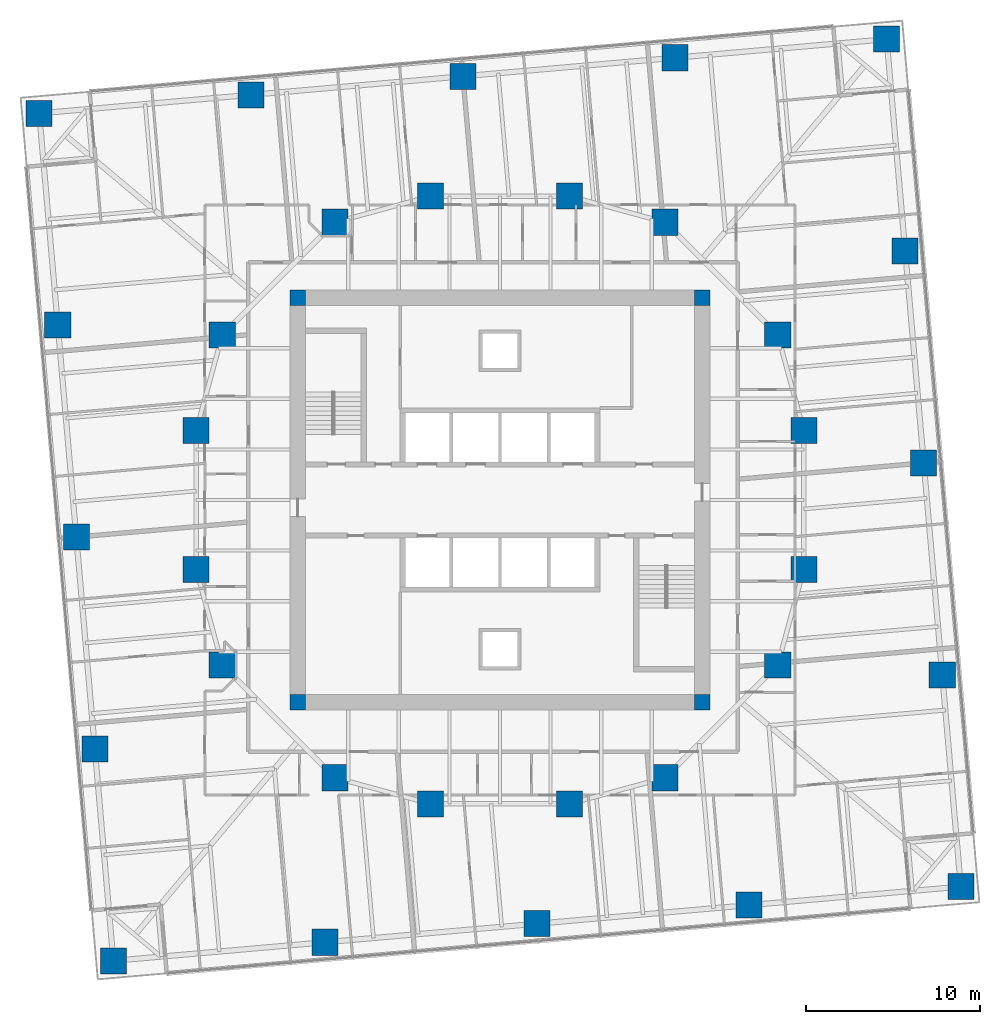
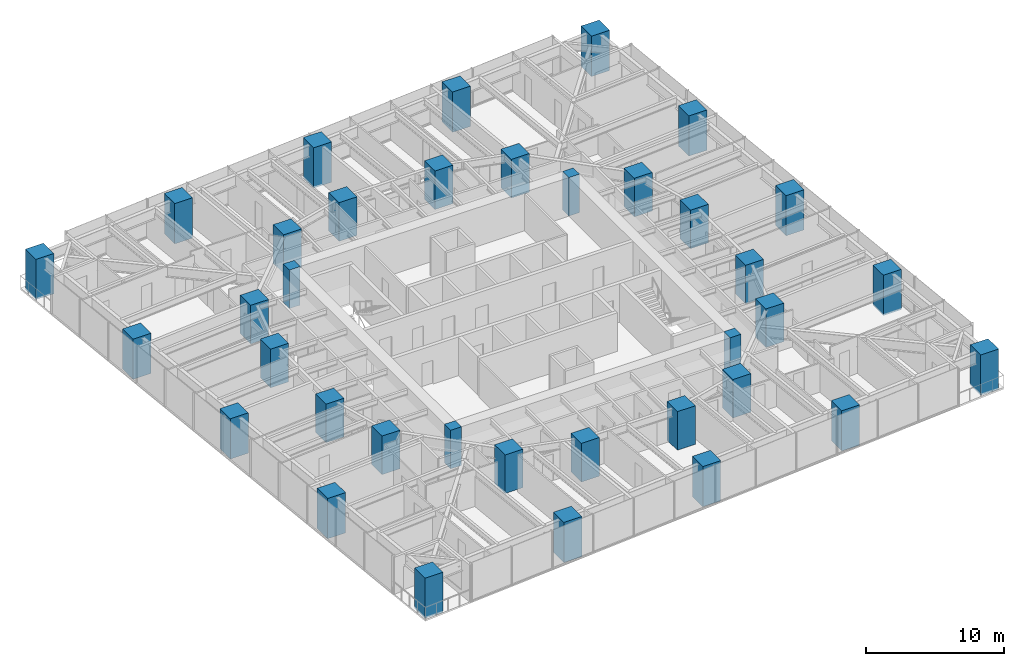
# One storey, part 1 of 14: 36 columns.
"""IFC4 building model written with IfcOpenShell, lengths in metres."""

from ifc_helpers import new_model, si_unit, direction, frame, origin, origin_2d, place, context, subcontext, project, spatial, rectangle, extrude, material, material_profile, profile_set, type_object, element, save


model = new_model("IFC4")

# Units and contexts
model_context = context("Model", 3, precision=1e-05, world=origin(), true_north=direction((0.0, 1.0)))
body_context = subcontext(model_context, "Body", "Model", "MODEL_VIEW")
ifc_project = project(units=[si_unit("LENGTHUNIT", "METRE"), si_unit("AREAUNIT", "SQUARE_METRE"), si_unit("VOLUMEUNIT", "CUBIC_METRE"), si_unit("PLANEANGLEUNIT", "RADIAN"), si_unit("MASSUNIT", "GRAM", prefix="KILO")], contexts=[model_context])

# Site, building, storey
site_placement = place(None, origin())
site = spatial("IfcSite", under=ifc_project, at=site_placement, CompositionType="ELEMENT")
building_placement = place(site_placement, origin())
building = spatial("IfcBuilding", under=site, at=building_placement, Name="Torsade Residences", CompositionType="ELEMENT")
storey_placement = place(building_placement, frame((0.0, 0.0, 47.199951171875)))
storey = spatial("IfcBuildingStorey", under=building, at=storey_placement, Name="L12", CompositionType="ELEMENT", Elevation=47.199951171875)

# Columns
ifc_material_1 = material(Name="Concrete 80 MPa", Category="concrete")
ifc_material_profile_1 = material_profile(ifc_material_1, rectangle(XDim=0.89990234375, YDim=0.89990234375, at=origin_2d()), Name="RC 900x900")
ifc_profile_set_1 = profile_set([ifc_material_profile_1], Name="Concrete 80 MPa")
column_type_1 = type_object("IfcColumnType", Name="CORE CORNER COLUMN RC 900x900", PredefinedType="COLUMN", material=ifc_profile_set_1)
for number, where, z_axis, x_axis, name in (
    (1, (28.35009765625, 18.35009765625, 0.0), (0.0, 0.0, 1.0), (1.0, 0.0, 0.0), "Core corner column CC1 L12"),
    (2, (51.64990234375, 18.35009765625, 0.0), (0.0, 0.0, 1.0), (1.0, 0.0, 0.0), "Core corner column CC2 L12"),
    (3, (51.64990234375, 41.64990234375, 0.0), (0.0, 0.0, 1.0), (1.0, 0.0, 0.0), "Core corner column CC3 L12"),
    (4, (28.35009765625, 41.64990234375, 0.0), (0.0, 0.0, 1.0), (1.0, 0.0, 0.0), "Core corner column CC4 L12"),
):
    element("IfcColumn", number, at=place(storey_placement, frame(where, z_axis=z_axis, x_axis=x_axis)), inside=storey, type_object=column_type_1, Name=name, PredefinedType="COLUMN", context=body_context, shape_type="SweptSolid", body=[
        extrude(rectangle(XDim=0.89990234375, YDim=0.89990234375, at=origin_2d()), origin(), (0.0, 0.0, 1.0), 3.400146484375),
    ])
ifc_material_2 = material(Name="Concrete 80 MPa", Category="concrete")
ifc_material_profile_2 = material_profile(ifc_material_2, rectangle(XDim=1.5, YDim=1.5, at=origin_2d()), Name="RC 1500x1500")
ifc_profile_set_2 = profile_set([ifc_material_profile_2], Name="Concrete 80 MPa")
column_type_2 = type_object("IfcColumnType", Name="INNER RING COLUMN RC 1500x1500", PredefinedType="COLUMN", material=ifc_profile_set_2)
for number, where, z_axis, x_axis, name in (
    (5, (57.5, 26.0, 0.0), (0.0, 0.0, 1.0), (1.0, 0.0, 0.0), "Inner ring column IR01 L12"),
    (6, (57.5, 34.0, 0.0), (0.0, 0.0, 1.0), (1.0, 0.0, 0.0), "Inner ring column IR02 L12"),
    (7, (56.0, 39.5, 0.0), (0.0, 0.0, 1.0), (1.0, 0.0, 0.0), "Inner ring column IR03 L12"),
    (8, (49.5, 46.0, 0.0), (0.0, 0.0, 1.0), (1.0, 0.0, 0.0), "Inner ring column IR04 L12"),
    (9, (44.0, 47.5, 0.0), (0.0, 0.0, 1.0), (1.0, 0.0, 0.0), "Inner ring column IR05 L12"),
    (10, (36.0, 47.5, 0.0), (0.0, 0.0, 1.0), (1.0, 0.0, 0.0), "Inner ring column IR06 L12"),
    (11, (30.5, 46.0, 0.0), (0.0, 0.0, 1.0), (1.0, 0.0, 0.0), "Inner ring column IR07 L12"),
    (12, (24.0, 39.5, 0.0), (0.0, 0.0, 1.0), (1.0, 0.0, 0.0), "Inner ring column IR08 L12"),
    (13, (22.5, 34.0, 0.0), (0.0, 0.0, 1.0), (1.0, 0.0, 0.0), "Inner ring column IR09 L12"),
    (14, (22.5, 26.0, 0.0), (0.0, 0.0, 1.0), (1.0, 0.0, 0.0), "Inner ring column IR10 L12"),
    (15, (24.0, 20.5, 0.0), (0.0, 0.0, 1.0), (1.0, 0.0, 0.0), "Inner ring column IR11 L12"),
    (16, (30.5, 14.0, 0.0), (0.0, 0.0, 1.0), (1.0, 0.0, 0.0), "Inner ring column IR12 L12"),
    (17, (36.0, 12.5, 0.0), (0.0, 0.0, 1.0), (1.0, 0.0, 0.0), "Inner ring column IR13 L12"),
    (18, (44.0, 12.5, 0.0), (0.0, 0.0, 1.0), (1.0, 0.0, 0.0), "Inner ring column IR14 L12"),
    (19, (49.5, 14.0, 0.0), (0.0, 0.0, 1.0), (1.0, 0.0, 0.0), "Inner ring column IR15 L12"),
    (20, (56.0, 20.5, 0.0), (0.0, 0.0, 1.0), (1.0, 0.0, 0.0), "Inner ring column IR16 L12"),
):
    element("IfcColumn", number, at=place(storey_placement, frame(where, z_axis=z_axis, x_axis=x_axis)), inside=storey, type_object=column_type_2, Name=name, PredefinedType="COLUMN", context=body_context, shape_type="SweptSolid", body=[
        extrude(rectangle(XDim=1.5, YDim=1.5, at=origin_2d()), origin(), (0.0, 0.0, 1.0), 3.400146484375),
    ])
ifc_material_3 = material(Name="Concrete 80 MPa", Category="concrete")
ifc_material_profile_3 = material_profile(ifc_material_3, rectangle(XDim=1.5, YDim=1.5, at=origin_2d()), Name="RC 1500x1500")
ifc_profile_set_3 = profile_set([ifc_material_profile_3], Name="Concrete 80 MPa")
column_type_3 = type_object("IfcColumnType", Name="TOWER COLUMN RC 1500x1500", PredefinedType="COLUMN", material=ifc_profile_set_3)
for number, where, z_axis, x_axis, name in (
    (21, (17.728515625, 3.4580078125, -0.14990234375), (0.0, 0.0, 1.0), (1.0, 0.0, 0.0), "Column TC2-01 L12"),
    (22, (29.931884765625, 4.525634765625, -0.14990234375), (0.0, 0.0, 1.0), (1.0, 0.0, 0.0), "Column TC2-02 L12"),
    (23, (42.13525390625, 5.59326171875, -0.14990234375), (0.0, 0.0, 1.0), (1.0, 0.0, 0.0), "Column TC2-03 L12"),
    (24, (54.338623046875, 6.660888671875, -0.14990234375), (0.0, 0.0, 1.0), (1.0, 0.0, 0.0), "Column TC2-04 L12"),
    (25, (66.5419921875, 7.728515625, -0.14990234375), (0.0, 0.0, 1.0), (1.0, 0.0, 0.0), "Column TC2-05 L12"),
    (26, (65.474365234375, 19.931884765625, -0.14990234375), (0.0, 0.0, 1.0), (1.0, 0.0, 0.0), "Column TC2-06 L12"),
    (27, (64.40673828125, 32.13525390625, -0.14990234375), (0.0, 0.0, 1.0), (1.0, 0.0, 0.0), "Column TC2-07 L12"),
    (28, (63.339111328125, 44.338623046875, -0.14990234375), (0.0, 0.0, 1.0), (1.0, 0.0, 0.0), "Column TC2-08 L12"),
    (29, (62.271484375, 56.5419921875, -0.14990234375), (0.0, 0.0, 1.0), (1.0, 0.0, 0.0), "Column TC2-09 L12"),
    (30, (50.068115234375, 55.474365234375, -0.14990234375), (0.0, 0.0, 1.0), (1.0, 0.0, 0.0), "Column TC2-10 L12"),
    (31, (37.86474609375, 54.40673828125, -0.14990234375), (0.0, 0.0, 1.0), (1.0, 0.0, 0.0), "Column TC2-11 L12"),
    (32, (25.661376953125, 53.339111328125, -0.14990234375), (0.0, 0.0, 1.0), (1.0, 0.0, 0.0), "Column TC2-12 L12"),
    (33, (13.4580078125, 52.271484375, -0.14990234375), (0.0, 0.0, 1.0), (1.0, 0.0, 0.0), "Column TC2-13 L12"),
    (34, (14.525634765625, 40.068115234375, -0.14990234375), (0.0, 0.0, 1.0), (1.0, 0.0, 0.0), "Column TC2-14 L12"),
    (35, (15.59326171875, 27.86474609375, -0.14990234375), (0.0, 0.0, 1.0), (1.0, 0.0, 0.0), "Column TC2-15 L12"),
    (36, (16.660888671875, 15.661376953125, -0.14990234375), (0.0, 0.0, 1.0), (1.0, 0.0, 0.0), "Column TC2-16 L12"),
):
    element("IfcColumn", number, at=place(storey_placement, frame(where, z_axis=z_axis, x_axis=x_axis)), inside=storey, type_object=column_type_3, Name=name, PredefinedType="COLUMN", context=body_context, shape_type="SweptSolid", body=[
        extrude(rectangle(XDim=1.5, YDim=1.5, at=origin_2d()), origin(), (0.0, 0.0, 1.0), 3.550048828125),
    ])

save(model, "model.ifc")
